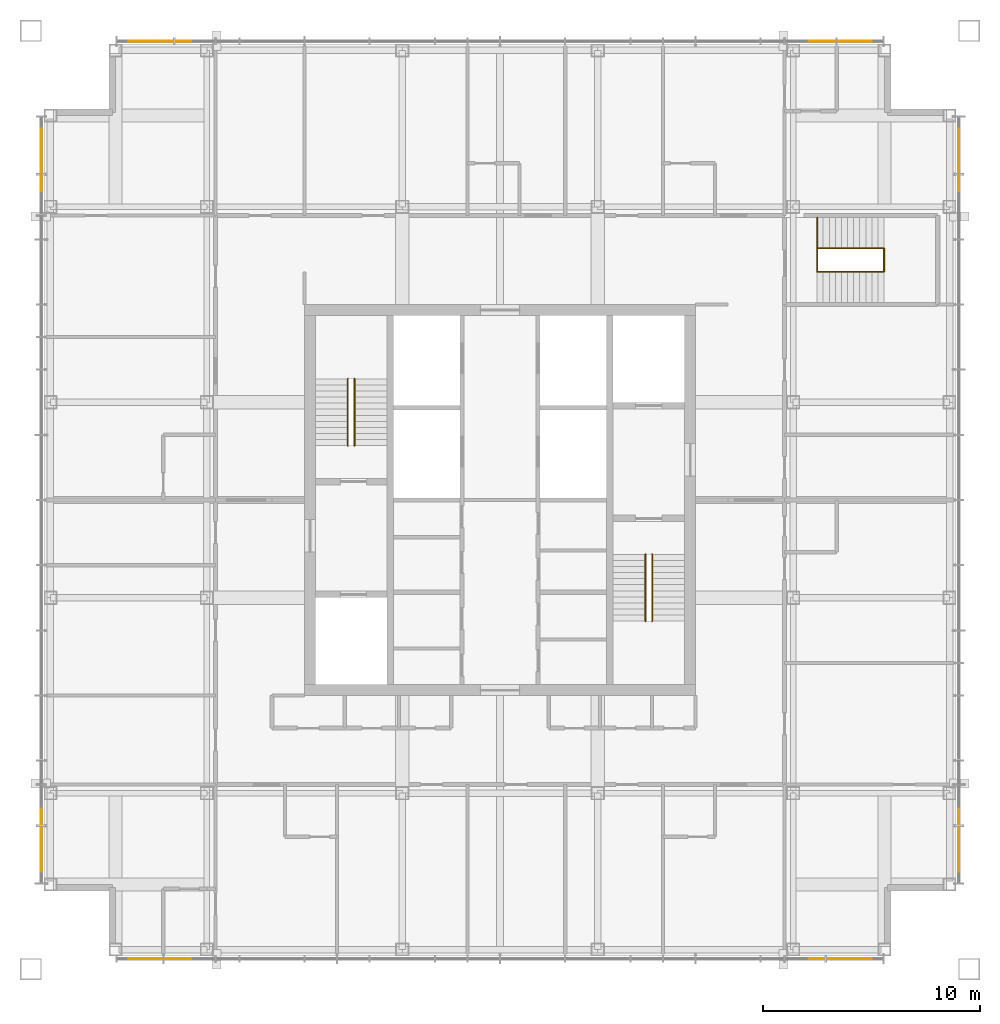
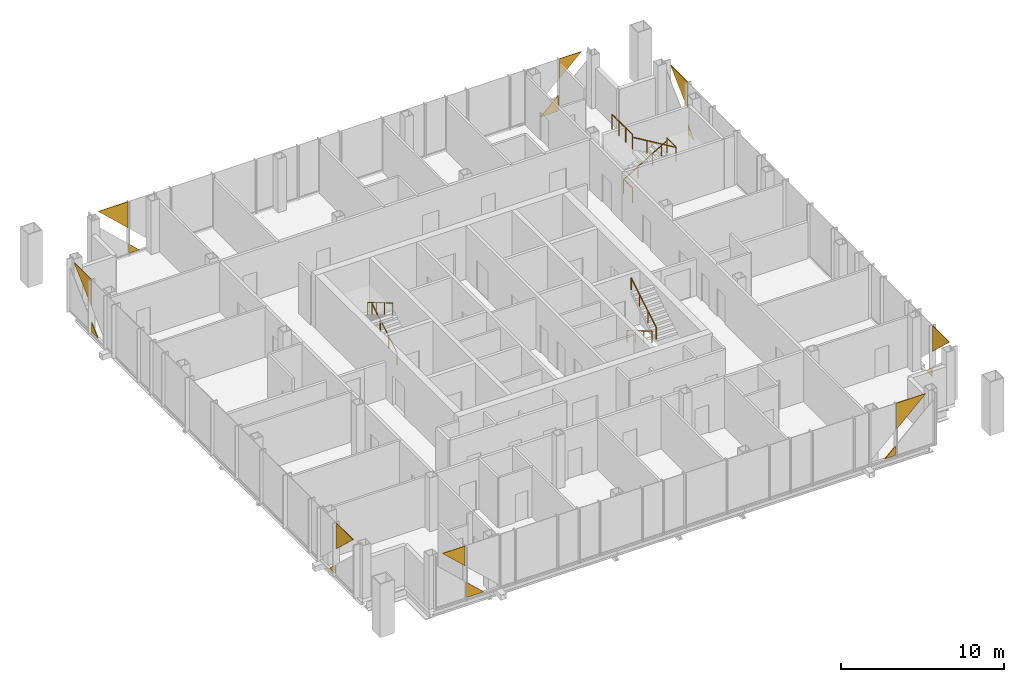
# One storey, part 11 of 11: 16 coverings, 9 railings.
"""IFC4 building model written with IfcOpenShell, lengths in metres."""

from ifc_helpers import new_model, si_unit, direction, frame, origin, origin_2d, place, context, subcontext, project, spatial, polyline, circle, outline, extrude, material, layer, layer_set, type_object, element, save


model = new_model("IFC4")

# Units and contexts
model_context = context("Model", 3, precision=1e-05, world=origin(), true_north=direction((0.0, 1.0)))
body_context = subcontext(model_context, "Body", "Model", "MODEL_VIEW")
ifc_project = project(units=[si_unit("LENGTHUNIT", "METRE"), si_unit("AREAUNIT", "SQUARE_METRE"), si_unit("VOLUMEUNIT", "CUBIC_METRE"), si_unit("PLANEANGLEUNIT", "RADIAN"), si_unit("MASSUNIT", "GRAM", prefix="KILO")], contexts=[model_context])

# Site, building, storey
site_placement = place(None, origin())
site = spatial("IfcSite", under=ifc_project, at=site_placement, CompositionType="ELEMENT")
building_placement = place(site_placement, origin())
building = spatial("IfcBuilding", under=site, at=building_placement, Name="Malebo Sky Hospital", CompositionType="ELEMENT")
storey_placement = place(building_placement, frame((0.0, 0.0, 282.0)))
storey = spatial("IfcBuildingStorey", under=building, at=storey_placement, Name="L68", CompositionType="ELEMENT", Elevation=282.0)

# Coverings
ifc_material_1 = material(Name="Anodised aluminium, natural silver insulated infill panel", Category="aluminium")
ifc_layer = layer(ifc_material_1, 0.0400390625)
ifc_layer_set = layer_set([ifc_layer], Name="BRACE INFILL PANEL 40")
covering_type = type_object("IfcCoveringType", Name="BRACE INFILL PANEL 40", PredefinedType="CLADDING", material=ifc_layer_set)
covering_1_placement = place(storey_placement, frame((43.920166015625, 83.125, 2.0380859375), z_axis=(0.0, 0.0, 1.0), x_axis=(1.0, 0.0, 0.0)))
element("IfcCovering", 1, at=covering_1_placement, inside=storey, type_object=covering_type, Name="Brace infill panel 1.1", PredefinedType="CLADDING", context=body_context, shape_type="SweptSolid", body=[
    extrude(outline(polyline([(1.042236328125, 0.0), (1.042236328125, 1.951904296875), (-1.042236328125, 1.951904296875), (1.042236328125, 0.0)])), frame((0.0, 0.02001953125, 0.0), z_axis=(0.0, -1.0, 0.0), x_axis=(1.0, 0.0, 0.0)), (0.0, 0.0, 1.0), 0.0400390625),
])
covering_2_placement = place(storey_placement, frame((45.41259765625, 83.125, 0.10009765625), z_axis=(0.0, 0.0, 1.0), x_axis=(1.0, 0.0, 0.0)))
element("IfcCovering", 2, at=covering_2_placement, inside=storey, type_object=covering_type, Name="Brace infill panel 2.1", PredefinedType="CLADDING", context=body_context, shape_type="SweptSolid", body=[
    extrude(outline(polyline([(-0.375, 0.0), (0.375, 0.0), (-0.375, 0.7021484375), (-0.375, 0.0)])), frame((0.0, 0.02001953125, 0.0), z_axis=(0.0, -1.0, 0.0), x_axis=(1.0, 0.0, 0.0)), (0.0, 0.0, 1.0), 0.0400390625),
])
covering_3_placement = place(storey_placement, frame((74.837646484375, 83.125, 0.099853515625), z_axis=(0.0, 0.0, 1.0), x_axis=(1.0, 0.0, 0.0)))
element("IfcCovering", 3, at=covering_3_placement, inside=storey, type_object=covering_type, Name="Brace infill panel 15.1", PredefinedType="CLADDING", context=body_context, shape_type="SweptSolid", body=[
    extrude(outline(polyline([(-0.625, 0.0), (0.625, 0.0), (0.625, 1.17041015625), (-0.625, 0.0)])), frame((0.0, 0.02001953125, 0.0), z_axis=(0.0, -1.0, 0.0), x_axis=(1.0, 0.0, 0.0)), (0.0, 0.0, 1.0), 0.0400390625),
])
covering_4_placement = place(storey_placement, frame((76.329833984375, 83.125, 2.50634765625), z_axis=(0.0, 0.0, 1.0), x_axis=(1.0, 0.0, 0.0)))
element("IfcCovering", 4, at=covering_4_placement, inside=storey, type_object=covering_type, Name="Brace infill panel 16.1", PredefinedType="CLADDING", context=body_context, shape_type="SweptSolid", body=[
    extrude(outline(polyline([(-0.792236328125, 0.0), (0.792236328125, 1.483642578125), (-0.792236328125, 1.483642578125), (-0.792236328125, 0.0)])), frame((0.0, 0.02001953125, 0.0), z_axis=(0.0, -1.0, 0.0), x_axis=(1.0, 0.0, 0.0)), (0.0, 0.0, 1.0), 0.0400390625),
])
covering_5_placement = place(storey_placement, frame((38.875, 45.920166015625, 2.0380859375), z_axis=(0.0, 0.0, 1.0), x_axis=(0.0, 1.0, 0.0)))
element("IfcCovering", 5, at=covering_5_placement, inside=storey, type_object=covering_type, Name="Brace infill panel 1.1", PredefinedType="CLADDING", context=body_context, shape_type="SweptSolid", body=[
    extrude(outline(polyline([(1.042236328125, 0.0), (1.042236328125, 1.951904296875), (-1.042236328125, 1.951904296875), (1.042236328125, 0.0)])), frame((0.0, 0.02001953125, 0.0), z_axis=(0.0, -1.0, 0.0), x_axis=(1.0, 0.0, 0.0)), (0.0, 0.0, 1.0), 0.0400390625),
])
covering_6_placement = place(storey_placement, frame((38.875, 47.41259765625, 0.10009765625), z_axis=(0.0, 0.0, 1.0), x_axis=(0.0, 1.0, 0.0)))
element("IfcCovering", 6, at=covering_6_placement, inside=storey, type_object=covering_type, Name="Brace infill panel 2.1", PredefinedType="CLADDING", context=body_context, shape_type="SweptSolid", body=[
    extrude(outline(polyline([(-0.375, 0.0), (0.375, 0.0), (-0.375, 0.7021484375), (-0.375, 0.0)])), frame((0.0, 0.02001953125, 0.0), z_axis=(0.0, -1.0, 0.0), x_axis=(1.0, 0.0, 0.0)), (0.0, 0.0, 1.0), 0.0400390625),
])
covering_7_placement = place(storey_placement, frame((38.875, 76.58740234375, 0.10009765625), z_axis=(0.0, 0.0, 1.0), x_axis=(0.0, 1.0, 0.0)))
element("IfcCovering", 7, at=covering_7_placement, inside=storey, type_object=covering_type, Name="Brace infill panel 14.1", PredefinedType="CLADDING", context=body_context, shape_type="SweptSolid", body=[
    extrude(outline(polyline([(-0.375, 0.0), (0.375, 0.0), (0.375, 0.7021484375), (-0.375, 0.0)])), frame((0.0, 0.02001953125, 0.0), z_axis=(0.0, -1.0, 0.0), x_axis=(1.0, 0.0, 0.0)), (0.0, 0.0, 1.0), 0.0400390625),
])
covering_8_placement = place(storey_placement, frame((38.875, 78.079833984375, 2.0380859375), z_axis=(0.0, 0.0, 1.0), x_axis=(0.0, 1.0, 0.0)))
element("IfcCovering", 8, at=covering_8_placement, inside=storey, type_object=covering_type, Name="Brace infill panel 15.1", PredefinedType="CLADDING", context=body_context, shape_type="SweptSolid", body=[
    extrude(outline(polyline([(-1.042236328125, 0.0), (1.042236328125, 1.951904296875), (-1.042236328125, 1.951904296875), (-1.042236328125, 0.0)])), frame((0.0, 0.02001953125, 0.0), z_axis=(0.0, -1.0, 0.0), x_axis=(1.0, 0.0, 0.0)), (0.0, 0.0, 1.0), 0.0400390625),
])
covering_9_placement = place(storey_placement, frame((76.079833984375, 40.875, 2.0380859375), z_axis=(0.0, 0.0, 1.0), x_axis=(-1.0, 0.0, 0.0)))
element("IfcCovering", 9, at=covering_9_placement, inside=storey, type_object=covering_type, Name="Brace infill panel 1.1", PredefinedType="CLADDING", context=body_context, shape_type="SweptSolid", body=[
    extrude(outline(polyline([(1.042236328125, 0.0), (1.042236328125, 1.951904296875), (-1.042236328125, 1.951904296875), (1.042236328125, 0.0)])), frame((0.0, 0.02001953125, 0.0), z_axis=(0.0, -1.0, 0.0), x_axis=(1.0, 0.0, 0.0)), (0.0, 0.0, 1.0), 0.0400390625),
])
covering_10_placement = place(storey_placement, frame((74.58740234375, 40.875, 0.10009765625), z_axis=(0.0, 0.0, 1.0), x_axis=(-1.0, 0.0, 0.0)))
element("IfcCovering", 10, at=covering_10_placement, inside=storey, type_object=covering_type, Name="Brace infill panel 2.1", PredefinedType="CLADDING", context=body_context, shape_type="SweptSolid", body=[
    extrude(outline(polyline([(-0.375, 0.0), (0.375, 0.0), (-0.375, 0.7021484375), (-0.375, 0.0)])), frame((0.0, 0.02001953125, 0.0), z_axis=(0.0, -1.0, 0.0), x_axis=(1.0, 0.0, 0.0)), (0.0, 0.0, 1.0), 0.0400390625),
])
covering_11_placement = place(storey_placement, frame((45.162353515625, 40.875, 0.099853515625), z_axis=(0.0, 0.0, 1.0), x_axis=(-1.0, 0.0, 0.0)))
element("IfcCovering", 11, at=covering_11_placement, inside=storey, type_object=covering_type, Name="Brace infill panel 16.1", PredefinedType="CLADDING", context=body_context, shape_type="SweptSolid", body=[
    extrude(outline(polyline([(-0.625, 0.0), (0.625, 0.0), (0.625, 1.17041015625), (-0.625, 0.0)])), frame((0.0, 0.02001953125, 0.0), z_axis=(0.0, -1.0, 0.0), x_axis=(1.0, 0.0, 0.0)), (0.0, 0.0, 1.0), 0.0400390625),
])
covering_12_placement = place(storey_placement, frame((43.670166015625, 40.875, 2.50634765625), z_axis=(0.0, 0.0, 1.0), x_axis=(-1.0, 0.0, 0.0)))
element("IfcCovering", 12, at=covering_12_placement, inside=storey, type_object=covering_type, Name="Brace infill panel 17.1", PredefinedType="CLADDING", context=body_context, shape_type="SweptSolid", body=[
    extrude(outline(polyline([(-0.792236328125, 0.0), (0.792236328125, 1.483642578125), (-0.792236328125, 1.483642578125), (-0.792236328125, 0.0)])), frame((0.0, 0.02001953125, 0.0), z_axis=(0.0, -1.0, 0.0), x_axis=(1.0, 0.0, 0.0)), (0.0, 0.0, 1.0), 0.0400390625),
])
covering_13_placement = place(storey_placement, frame((81.125, 78.079833984375, 2.0380859375), z_axis=(0.0, 0.0, 1.0), x_axis=(0.0, -1.0, 0.0)))
element("IfcCovering", 13, at=covering_13_placement, inside=storey, type_object=covering_type, Name="Brace infill panel 1.1", PredefinedType="CLADDING", context=body_context, shape_type="SweptSolid", body=[
    extrude(outline(polyline([(1.042236328125, 0.0), (1.042236328125, 1.951904296875), (-1.042236328125, 1.951904296875), (1.042236328125, 0.0)])), frame((0.0, 0.02001953125, 0.0), z_axis=(0.0, -1.0, 0.0), x_axis=(1.0, 0.0, 0.0)), (0.0, 0.0, 1.0), 0.0400390625),
])
covering_14_placement = place(storey_placement, frame((81.125, 76.587646484375, 0.10009765625), z_axis=(0.0, 0.0, 1.0), x_axis=(0.0, -1.0, 0.0)))
element("IfcCovering", 14, at=covering_14_placement, inside=storey, type_object=covering_type, Name="Brace infill panel 2.1", PredefinedType="CLADDING", context=body_context, shape_type="SweptSolid", body=[
    extrude(outline(polyline([(-0.375, 0.0), (0.375, 0.0), (-0.375, 0.7021484375), (-0.375, 0.0)])), frame((0.0, 0.02001953125, 0.0), z_axis=(0.0, -1.0, 0.0), x_axis=(1.0, 0.0, 0.0)), (0.0, 0.0, 1.0), 0.0400390625),
])
covering_15_placement = place(storey_placement, frame((81.125, 47.41259765625, 0.10009765625), z_axis=(0.0, 0.0, 1.0), x_axis=(0.0, -1.0, 0.0)))
element("IfcCovering", 15, at=covering_15_placement, inside=storey, type_object=covering_type, Name="Brace infill panel 13.1", PredefinedType="CLADDING", context=body_context, shape_type="SweptSolid", body=[
    extrude(outline(polyline([(-0.375, 0.0), (0.375, 0.0), (0.375, 0.7021484375), (-0.375, 0.0)])), frame((0.0, 0.02001953125, 0.0), z_axis=(0.0, -1.0, 0.0), x_axis=(1.0, 0.0, 0.0)), (0.0, 0.0, 1.0), 0.0400390625),
])
covering_16_placement = place(storey_placement, frame((81.125, 45.920166015625, 2.0380859375), z_axis=(0.0, 0.0, 1.0), x_axis=(0.0, -1.0, 0.0)))
element("IfcCovering", 16, at=covering_16_placement, inside=storey, type_object=covering_type, Name="Brace infill panel 14.1", PredefinedType="CLADDING", context=body_context, shape_type="SweptSolid", body=[
    extrude(outline(polyline([(-1.042236328125, 0.0), (1.042236328125, 1.951904296875), (-1.042236328125, 1.951904296875), (-1.042236328125, 0.0)])), frame((0.0, 0.02001953125, 0.0), z_axis=(0.0, -1.0, 0.0), x_axis=(1.0, 0.0, 0.0)), (0.0, 0.0, 1.0), 0.0400390625),
])

# Railings
ifc_material_2 = material(Name="Stainless steel balustrade", Category="steel")
railing_type_1 = type_object("IfcRailingType", Name="STAIR GUARD 1100", PredefinedType="GUARDRAIL", material=ifc_material_2)
railing_1_placement = place(storey_placement, frame((74.60009765625, 75.0, 4.0)))
element("IfcRailing", 17, at=railing_1_placement, inside=storey, type_object=railing_type_1, Name="Stair guard S3 top landing", PredefinedType="GUARDRAIL", context=body_context, shape_type="SweptSolid", body=[
    extrude(circle(Radius=0.02392578125, at=origin_2d()), frame((0.0, 0.0, 1.076171875), z_axis=(0.0, -1.0, 0.0), x_axis=(1.0, 0.0, 0.0)), (0.0, 0.0, 1.0), 2.5),
    extrude(circle(Radius=0.02099609375, at=origin_2d()), origin(), (0.0, 0.0, 1.0), 1.052001953125),
    extrude(circle(Radius=0.02099609375, at=origin_2d()), frame((0.0, -0.833251953125, 0.0)), (0.0, 0.0, 1.0), 1.052001953125),
    extrude(circle(Radius=0.02099609375, at=origin_2d()), frame((0.0, -1.666748046875, 0.0)), (0.0, 0.0, 1.0), 1.052001953125),
    extrude(circle(Radius=0.02099609375, at=origin_2d()), frame((0.0, -2.5, 0.0)), (0.0, 0.0, 1.0), 1.052001953125),
])
for number, where, name in (
    (18, (74.60009765625, 72.5, 0.0), "Stair guard S3 floor landing"),
    (19, (77.679931640625, 72.5, 2.0), "Stair guard S3 mid landing"),
):
    element("IfcRailing", number, at=place(storey_placement, frame(where)), inside=storey, type_object=railing_type_1, Name=name, PredefinedType="GUARDRAIL", context=body_context, shape_type="SweptSolid", body=[
        extrude(circle(Radius=0.02392578125, at=origin_2d()), frame((0.0, 0.0, 1.076171875), z_axis=(0.0, 1.0, 0.0), x_axis=(-1.0, 0.0, 0.0)), (0.0, 0.0, 1.0), 1.10009765625),
        extrude(circle(Radius=0.02099609375, at=origin_2d()), origin(), (0.0, 0.0, 1.0), 1.052001953125),
        extrude(circle(Radius=0.02099609375, at=origin_2d()), frame((0.0, 1.10009765625, 0.0)), (0.0, 0.0, 1.0), 1.052001953125),
    ])
ifc_material_3 = material(Name="Stainless steel tube", Category="steel")
railing_type_2 = type_object("IfcRailingType", Name="STAIR HANDRAIL 900", PredefinedType="HANDRAIL", material=ifc_material_3)
railing_2_placement = place(storey_placement, frame((53.300048828125, 64.5, 0.166748046875)))
element("IfcRailing", 20, at=railing_2_placement, inside=storey, type_object=railing_type_2, Name="Stair handrail S1 flight 1", PredefinedType="HANDRAIL", context=body_context, shape_type="SweptSolid", body=[
    extrude(circle(Radius=0.02392578125, at=origin_2d()), frame((0.0, 0.0, 0.8759765625), z_axis=(0.0, 0.859308565015, 0.511457515432), x_axis=(-1.0, 0.0, 0.0)), (0.0, 0.0, 1.0), 3.58447265625),
    extrude(circle(Radius=0.02099609375, at=origin_2d()), origin(), (0.0, 0.0, 1.0), 0.851806640625),
    extrude(circle(Radius=0.02099609375, at=origin_2d()), frame((0.0, 1.026611328125, 0.611083984375)), (0.0, 0.0, 1.0), 0.851806640625),
    extrude(circle(Radius=0.02099609375, at=origin_2d()), frame((0.0, 2.053466796875, 1.22216796875)), (0.0, 0.0, 1.0), 0.851806640625),
    extrude(circle(Radius=0.02099609375, at=origin_2d()), frame((0.0, 3.080078125, 1.833251953125)), (0.0, 0.0, 1.0), 0.851806640625),
])
for number, where, name in (
    (21, (53.0, 67.580078125, 2.166748046875), "Stair handrail S1 flight 2"),
    (22, (66.699951171875, 59.5, 0.166748046875), "Stair handrail S2 flight 1"),
):
    element("IfcRailing", number, at=place(storey_placement, frame(where)), inside=storey, type_object=railing_type_2, Name=name, PredefinedType="HANDRAIL", context=body_context, shape_type="SweptSolid", body=[
        extrude(circle(Radius=0.02392578125, at=origin_2d()), frame((0.0, 0.0, 0.8759765625), z_axis=(0.0, -0.859308565015, 0.511457515432), x_axis=(1.0, 0.0, 0.0)), (0.0, 0.0, 1.0), 3.58447265625),
        extrude(circle(Radius=0.02099609375, at=origin_2d()), origin(), (0.0, 0.0, 1.0), 0.851806640625),
        extrude(circle(Radius=0.02099609375, at=origin_2d()), frame((0.0, -1.026611328125, 0.611083984375)), (0.0, 0.0, 1.0), 0.851806640625),
        extrude(circle(Radius=0.02099609375, at=origin_2d()), frame((0.0, -2.053466796875, 1.22216796875)), (0.0, 0.0, 1.0), 0.851806640625),
        extrude(circle(Radius=0.02099609375, at=origin_2d()), frame((0.0, -3.080078125, 1.833251953125)), (0.0, 0.0, 1.0), 0.851806640625),
    ])
railing_3_placement = place(storey_placement, frame((67.0, 56.419921875, 2.166748046875)))
element("IfcRailing", 23, at=railing_3_placement, inside=storey, type_object=railing_type_2, Name="Stair handrail S2 flight 2", PredefinedType="HANDRAIL", context=body_context, shape_type="SweptSolid", body=[
    extrude(circle(Radius=0.02392578125, at=origin_2d()), frame((0.0, 0.0, 0.8759765625), z_axis=(0.0, 0.859308565015, 0.511457515432), x_axis=(-1.0, 0.0, 0.0)), (0.0, 0.0, 1.0), 3.58447265625),
    extrude(circle(Radius=0.02099609375, at=origin_2d()), origin(), (0.0, 0.0, 1.0), 0.851806640625),
    extrude(circle(Radius=0.02099609375, at=origin_2d()), frame((0.0, 1.026611328125, 0.611083984375)), (0.0, 0.0, 1.0), 0.851806640625),
    extrude(circle(Radius=0.02099609375, at=origin_2d()), frame((0.0, 2.053466796875, 1.22216796875)), (0.0, 0.0, 1.0), 0.851806640625),
    extrude(circle(Radius=0.02099609375, at=origin_2d()), frame((0.0, 3.080078125, 1.833251953125)), (0.0, 0.0, 1.0), 0.851806640625),
])
railing_4_placement = place(storey_placement, frame((74.60009765625, 73.60009765625, 0.166748046875)))
element("IfcRailing", 24, at=railing_4_placement, inside=storey, type_object=railing_type_2, Name="Stair handrail S3 flight 1", PredefinedType="HANDRAIL", context=body_context, shape_type="SweptSolid", body=[
    extrude(circle(Radius=0.02392578125, at=origin_2d()), frame((0.0, 0.0, 0.8759765625), z_axis=(0.859290745958, 0.0, 0.51148745235), x_axis=(0.0, 1.0, 0.0)), (0.0, 0.0, 1.0), 3.584228515625),
    extrude(circle(Radius=0.02099609375, at=origin_2d()), origin(), (0.0, 0.0, 1.0), 0.851806640625),
    extrude(circle(Radius=0.02099609375, at=origin_2d()), frame((1.026611328125, 0.0, 0.611083984375)), (0.0, 0.0, 1.0), 0.851806640625),
    extrude(circle(Radius=0.02099609375, at=origin_2d()), frame((2.05322265625, 0.0, 1.22216796875)), (0.0, 0.0, 1.0), 0.851806640625),
    extrude(circle(Radius=0.02099609375, at=origin_2d()), frame((3.079833984375, 0.0, 1.833251953125)), (0.0, 0.0, 1.0), 0.851806640625),
])
railing_5_placement = place(storey_placement, frame((77.679931640625, 72.5, 2.166748046875)))
element("IfcRailing", 25, at=railing_5_placement, inside=storey, type_object=railing_type_2, Name="Stair handrail S3 flight 2", PredefinedType="HANDRAIL", context=body_context, shape_type="SweptSolid", body=[
    extrude(circle(Radius=0.02392578125, at=origin_2d()), frame((0.0, 0.0, 0.8759765625), z_axis=(-0.859290745958, 0.0, 0.51148745235), x_axis=(0.0, -1.0, 0.0)), (0.0, 0.0, 1.0), 3.584228515625),
    extrude(circle(Radius=0.02099609375, at=origin_2d()), origin(), (0.0, 0.0, 1.0), 0.851806640625),
    extrude(circle(Radius=0.02099609375, at=origin_2d()), frame((-1.026611328125, 0.0, 0.611083984375)), (0.0, 0.0, 1.0), 0.851806640625),
    extrude(circle(Radius=0.02099609375, at=origin_2d()), frame((-2.05322265625, 0.0, 1.22216796875)), (0.0, 0.0, 1.0), 0.851806640625),
    extrude(circle(Radius=0.02099609375, at=origin_2d()), frame((-3.079833984375, 0.0, 1.833251953125)), (0.0, 0.0, 1.0), 0.851806640625),
])

save(model, "model.ifc")
